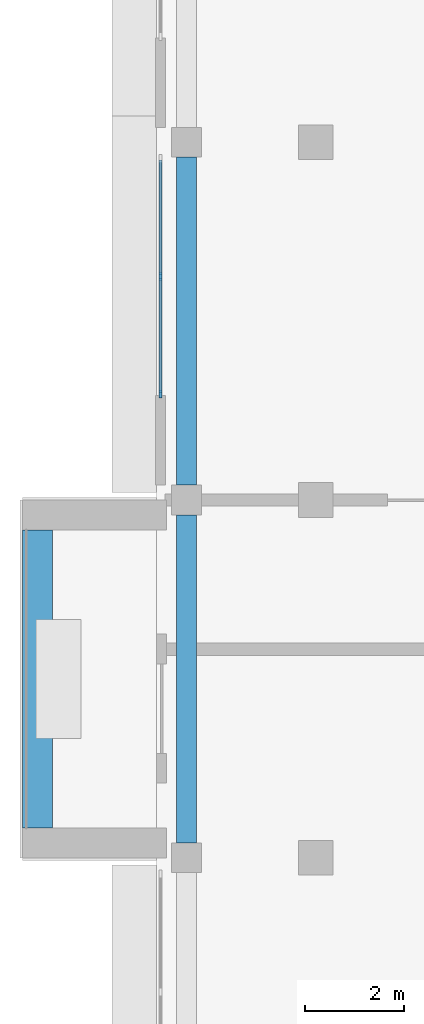
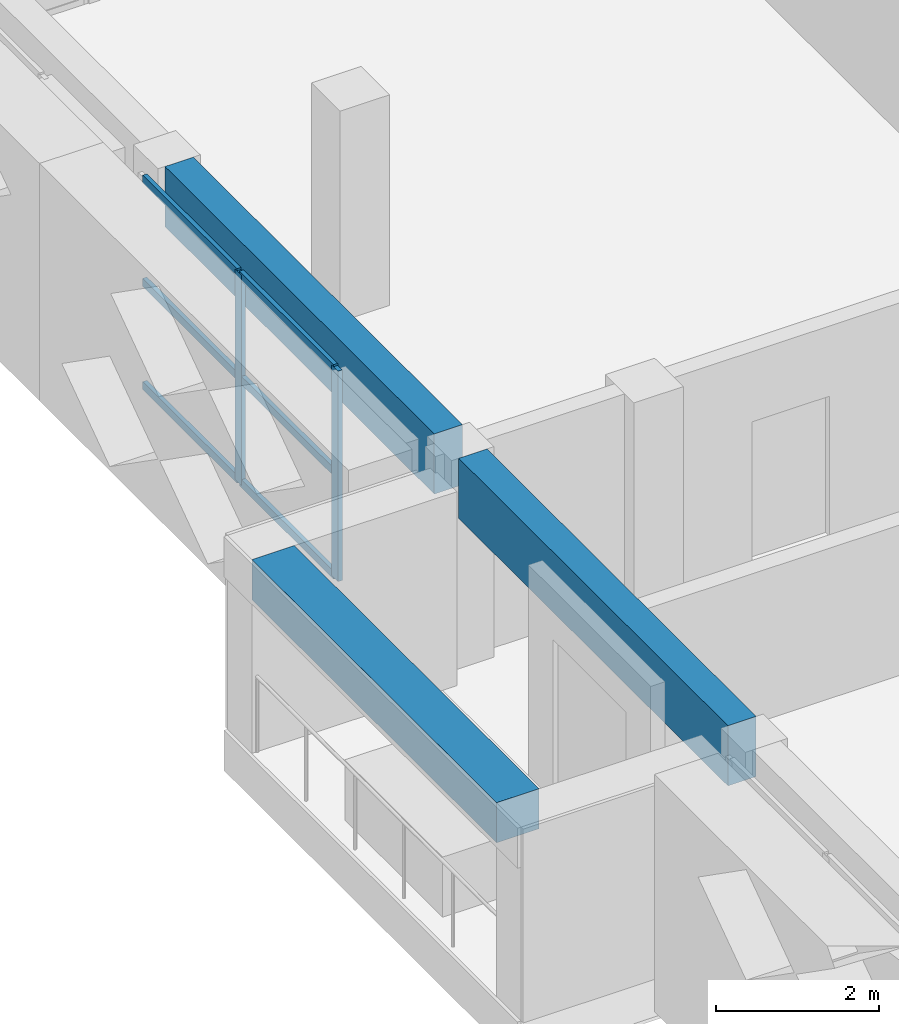
# One storey, part 3 of 22: 8 members, 3 beams, 1 element without a shape of its own.
"""IFC4 building model written with IfcOpenShell, lengths in metres."""

from ifc_helpers import new_model, si_unit, direction, frame, origin, origin_2d, place, context, subcontext, project, spatial, rectangle, extrude, source, transform, mapped, material, layer, layer_set, material_profile, profile_set, type_object, element, aggregate, save


model = new_model("IFC4")

# Units and contexts
model_context = context("Model", 3, precision=1e-05, world=origin(), true_north=direction((0.0, 1.0)))
body_context = subcontext(model_context, "Body", "Model", "MODEL_VIEW")
ifc_project = project(units=[si_unit("LENGTHUNIT", "METRE"), si_unit("AREAUNIT", "SQUARE_METRE"), si_unit("VOLUMEUNIT", "CUBIC_METRE"), si_unit("PLANEANGLEUNIT", "RADIAN"), si_unit("MASSUNIT", "GRAM", prefix="KILO")], contexts=[model_context])

# Site, building, storey
site_placement = place(None, origin())
site = spatial("IfcSite", under=ifc_project, at=site_placement, CompositionType="ELEMENT")
building_placement = place(site_placement, origin())
building = spatial("IfcBuilding", under=site, at=building_placement, Name="Saffron Iwan Residences", CompositionType="ELEMENT")
storey_placement = place(building_placement, frame((0.0, 0.0, 271.0)))
storey = spatial("IfcBuildingStorey", under=building, at=storey_placement, Name="L73", CompositionType="ELEMENT", Elevation=271.0)

# Beams
ifc_material_1 = material(Name="Concrete C40/50", Category="concrete")
ifc_material_profile_1 = material_profile(ifc_material_1, rectangle(XDim=0.39990234375, YDim=0.89990234375, at=origin_2d()), Name="RC 400x900")
ifc_profile_set_1 = profile_set([ifc_material_profile_1], Name="Concrete C40/50")
beam_type_1 = type_object("IfcBeamType", Name="SPANDREL BEAM RC 400x900 C40/50 TOP 3150", PredefinedType="SPANDREL", material=ifc_profile_set_1)
shared_shape_1 = source(origin(), body_context, "Body", "SweptSolid", [
    extrude(rectangle(XDim=0.39990234375, YDim=0.89990234375, at=origin_2d()), origin(), (0.0, 0.0, 1.0), 6.60009765625),
])
for number, where, z_axis, x_axis, name in (
    (1, (19.0, 55.5, 2.699951171875), (0.0, 1.0, 0.0), (-1.0, 0.0, 0.0), "Spandrel beam"),
    (2, (19.0, 62.699951171875, 2.699951171875), (0.0, 1.0, 0.0), (-1.0, 0.0, 0.0), "Spandrel beam"),
):
    element("IfcBeam", number, at=place(storey_placement, frame(where, z_axis=z_axis, x_axis=x_axis)), inside=storey, type_object=beam_type_1, Name=name, PredefinedType="SPANDREL", context=body_context, shape_type="MappedRepresentation", body=[
        mapped(shared_shape_1, transform((0.0, 0.0, 0.0))),
    ])
ifc_material_2 = material(Name="Concrete C50/60 white painted", Category="concrete")
ifc_material_profile_2 = material_profile(ifc_material_2, rectangle(XDim=0.60009765625, YDim=0.60009765625, at=origin_2d()), Name="BALCONY FASCIA BEAM 600 x 600")
ifc_profile_set_2 = profile_set([ifc_material_profile_2], Name="Concrete C50/60 white painted")
beam_type_2 = type_object("IfcBeamType", Name="BALCONY FASCIA BEAM 600 x 600", PredefinedType="BEAM", material=ifc_profile_set_2)
shared_shape_2 = source(origin(), body_context, "Body", "SweptSolid", [
    extrude(rectangle(XDim=0.60009765625, YDim=0.60009765625, at=origin_2d()), origin(), (0.0, 0.0, 1.0), 6.0),
])
beam_placement = place(storey_placement, frame((16.0, 61.800048828125, 2.60107421875), z_axis=(0.0, -1.0, 0.0), x_axis=(1.0, 0.0, 0.0)))
element("IfcBeam", 3, at=beam_placement, inside=storey, type_object=beam_type_2, Name="Balcony fascia beam L73 F8-0", PredefinedType="BEAM", context=body_context, shape_type="MappedRepresentation", body=[
    mapped(shared_shape_2, transform((0.0, 0.0, 0.0))),
])

# Curtain wall, members
ifc_material_3 = material(Name="Clear glass, laminated double glazed", Category="glass")
ifc_layer = layer(ifc_material_3, 0.14990234375)
ifc_layer_set = layer_set([ifc_layer], Name="Clear glass, laminated double glazed")
curtain_wall_type = type_object("IfcCurtainWallType", Name="CW-E SKY CLUB GLAZING", PredefinedType="NOTDEFINED", material=ifc_layer_set)
curtain_wall_placement = place(storey_placement, origin())
curtain_wall = element("IfcCurtainWall", 4, at=curtain_wall_placement, inside=storey, type_object=curtain_wall_type, Name="Glazing L73 F8.1", PredefinedType="NOTDEFINED")
ifc_material_4 = material(Name="Aluminium 6063-T6", Category="aluminium")
ifc_material_profile_3 = material_profile(ifc_material_4, rectangle(XDim=0.06005859375, YDim=0.159912109375, at=origin_2d()), Name="CW-E MULLION 60 x 160")
ifc_profile_set_3 = profile_set([ifc_material_profile_3], Name="Aluminium 6063-T6")
member_type_1 = type_object("IfcMemberType", Name="CW-E MULLION 60 x 160", PredefinedType="MULLION", material=ifc_profile_set_3)
shared_shape_3 = source(origin(), body_context, "Body", "SweptSolid", [
    extrude(rectangle(XDim=0.06005859375, YDim=0.159912109375, at=origin_2d()), origin(), (0.0, 0.0, 1.0), 3.14990234375),
])
member_1_placement = place(storey_placement, frame((18.47998046875, 66.89990234375, 0.0), z_axis=(0.0, 0.0, 1.0), x_axis=(1.0, 0.0, 0.0)))
member_1 = element("IfcMember", 5, at=member_1_placement, type_object=member_type_1, Name="CW-E mullion 2", PredefinedType="MULLION", context=body_context, shape_type="MappedRepresentation", body=[
    mapped(shared_shape_3, transform((0.0, 0.0, 0.0))),
])
member_2_placement = place(storey_placement, frame((18.47998046875, 64.530029296875, 0.0), z_axis=(0.0, 0.0, 1.0), x_axis=(1.0, 0.0, 0.0)))
member_2 = element("IfcMember", 6, at=member_2_placement, type_object=member_type_1, Name="CW-E mullion 3", PredefinedType="MULLION", context=body_context, shape_type="MappedRepresentation", body=[
    mapped(shared_shape_3, transform((0.0, 0.0, 0.0))),
])
ifc_material_profile_4 = material_profile(ifc_material_4, rectangle(XDim=0.06005859375, YDim=0.1201171875, at=origin_2d()), Name="CW-E TRANSOM 60 x 120")
ifc_profile_set_4 = profile_set([ifc_material_profile_4], Name="Aluminium 6063-T6")
member_type_2 = type_object("IfcMemberType", Name="CW-E TRANSOM 60 x 120", PredefinedType="USERDEFINED", material=ifc_profile_set_4)
shared_shape_4 = source(origin(), body_context, "Body", "SweptSolid", [
    extrude(rectangle(XDim=0.06005859375, YDim=0.1201171875, at=origin_2d()), origin(), (0.0, 0.0, 1.0), 2.31005859375),
])
member_3_placement = place(storey_placement, frame((18.47998046875, 69.239990234375, 0.030029296875), z_axis=(0.0, -1.0, 0.0), x_axis=(1.0, 0.0, 0.0)))
member_3 = element("IfcMember", 7, at=member_3_placement, type_object=member_type_2, Name="CW-E transom 1.1", ObjectType="TRANSOM", PredefinedType="USERDEFINED", context=body_context, shape_type="MappedRepresentation", body=[
    mapped(shared_shape_4, transform((0.0, 0.0, 0.0))),
])
member_4_placement = place(storey_placement, frame((18.47998046875, 69.239990234375, 1.574951171875), z_axis=(0.0, -1.0, 0.0), x_axis=(1.0, 0.0, 0.0)))
member_4 = element("IfcMember", 8, at=member_4_placement, type_object=member_type_2, Name="CW-E transom 1.2", ObjectType="TRANSOM", PredefinedType="USERDEFINED", context=body_context, shape_type="MappedRepresentation", body=[
    mapped(shared_shape_4, transform((0.0, 0.0, 0.0))),
])
member_5_placement = place(storey_placement, frame((18.47998046875, 69.239990234375, 3.1201171875), z_axis=(0.0, -1.0, 0.0), x_axis=(1.0, 0.0, 0.0)))
member_5 = element("IfcMember", 9, at=member_5_placement, type_object=member_type_2, Name="CW-E transom 1.3", ObjectType="TRANSOM", PredefinedType="USERDEFINED", context=body_context, shape_type="MappedRepresentation", body=[
    mapped(shared_shape_4, transform((0.0, 0.0, 0.0))),
])
member_6_placement = place(storey_placement, frame((18.47998046875, 66.8701171875, 0.030029296875), z_axis=(0.0, -1.0, 0.0), x_axis=(1.0, 0.0, 0.0)))
member_6 = element("IfcMember", 10, at=member_6_placement, type_object=member_type_2, Name="CW-E transom 2.1", ObjectType="TRANSOM", PredefinedType="USERDEFINED", context=body_context, shape_type="MappedRepresentation", body=[
    mapped(shared_shape_4, transform((0.0, 0.0, 0.0))),
])
member_7_placement = place(storey_placement, frame((18.47998046875, 66.8701171875, 1.574951171875), z_axis=(0.0, -1.0, 0.0), x_axis=(1.0, 0.0, 0.0)))
member_7 = element("IfcMember", 11, at=member_7_placement, type_object=member_type_2, Name="CW-E transom 2.2", ObjectType="TRANSOM", PredefinedType="USERDEFINED", context=body_context, shape_type="MappedRepresentation", body=[
    mapped(shared_shape_4, transform((0.0, 0.0, 0.0))),
])
member_8_placement = place(storey_placement, frame((18.47998046875, 66.8701171875, 3.1201171875), z_axis=(0.0, -1.0, 0.0), x_axis=(1.0, 0.0, 0.0)))
member_8 = element("IfcMember", 12, at=member_8_placement, type_object=member_type_2, Name="CW-E transom 2.3", ObjectType="TRANSOM", PredefinedType="USERDEFINED", context=body_context, shape_type="MappedRepresentation", body=[
    mapped(shared_shape_4, transform((0.0, 0.0, 0.0))),
])
aggregate(curtain_wall, [member_1, member_2, member_3, member_4, member_5, member_6, member_7, member_8])

save(model, "model.ifc")
